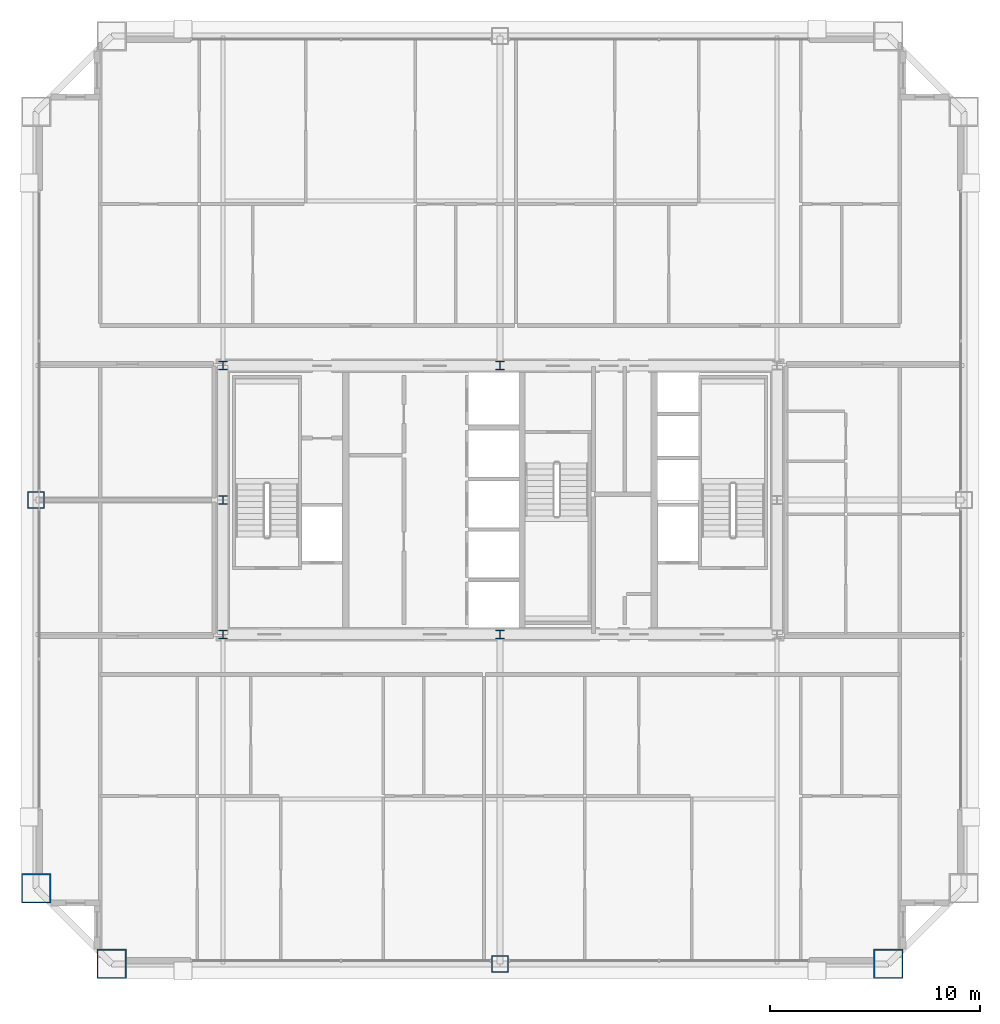
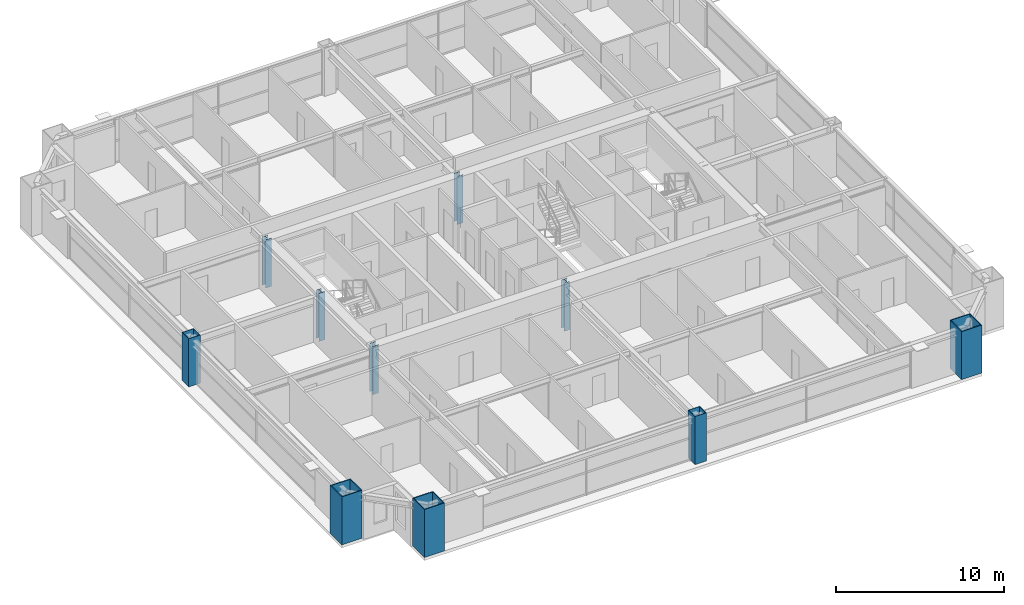
# One storey, part 1 of 38: 10 columns.
"""IFC4 building model written with IfcOpenShell, lengths in metres."""

import ifcopenshell
import ifcopenshell.guid

model = None  # the IFC model being written
_history = None  # IfcOwnerHistory: only IFC2X3 demands one
_inside = {}  # id of a spatial element -> (the spatial element, [elements in it])
_under = {}  # id of a project, library or spatial element -> (it, [spatial elements below it])
_declared = {}  # id of a project -> (the project, [libraries it declares])
_typed = {}  # id of a type object -> (the type object, [elements of that type])
_made_of = {}  # id of a material, layer set ... -> (it, [elements and type objects made of it])


def new_model(schema):
    """Start an empty IFC model of exactly this schema.

    Asked for "IFC4X3", IfcOpenShell would pick the latest addendum, in which some entities
    have other attributes; the version numbers below select the first issue.
    IFC2X3 requires an IfcOwnerHistory on every rooted entity: one is made here for all.
    """
    global model, _history
    if schema == "IFC4X3":
        model = ifcopenshell.file(schema_version=(4, 3, 0, 0))
    else:
        model = ifcopenshell.file(schema=schema)
    _inside.clear()
    _under.clear()
    _declared.clear()
    _typed.clear()
    _made_of.clear()
    _history = None
    if model.schema == "IFC2X3":
        org = make("IfcOrganization", Name="unknown")
        user = make(
            "IfcPersonAndOrganization",
            ThePerson=make("IfcPerson", FamilyName="unknown"),
            TheOrganization=org,
        )
        app = make(
            "IfcApplication",
            ApplicationDeveloper=org,
            Version="unknown",
            ApplicationFullName="unknown",
            ApplicationIdentifier="unknown",
        )
        _history = make(
            "IfcOwnerHistory",
            OwningUser=user,
            OwningApplication=app,
            ChangeAction="ADDED",
            CreationDate=0,
        )
    return model


def make(cls, **values):
    """One entity of the class cls with the attributes given. An attribute that is None is left unset."""
    return model.create_entity(
        cls, **{name: value for name, value in values.items() if value is not None}
    )


def rooted(cls, **values):
    """An entity with a GlobalId (a new one), such as an element, a storey or a relation."""
    return make(cls, GlobalId=ifcopenshell.guid.new(), OwnerHistory=_history, **values)


def si_unit(unit_type, name, prefix=None):
    """IfcSIUnit, for example si_unit("LENGTHUNIT", "METRE", prefix="MILLI")."""
    return make("IfcSIUnit", UnitType=unit_type, Prefix=prefix, Name=name)


def assignment(units):
    """IfcUnitAssignment: the units of a project."""
    return None if units is None else make("IfcUnitAssignment", Units=units)


def point(xyz):
    """IfcCartesianPoint."""
    return None if xyz is None else make("IfcCartesianPoint", Coordinates=xyz)


def direction(xyz):
    """IfcDirection."""
    return None if xyz is None else make("IfcDirection", DirectionRatios=xyz)


def frame(location, z_axis=None, x_axis=None):
    """IfcAxis2Placement3D, a coordinate frame: its origin and axes. An axis left out is left unset."""
    return make(
        "IfcAxis2Placement3D",
        Location=point(location),
        Axis=direction(z_axis),
        RefDirection=direction(x_axis),
    )


def frame_2d(location, x_axis=None):
    """IfcAxis2Placement2D, a coordinate frame in the plane: its origin and x axis."""
    return make(
        "IfcAxis2Placement2D", Location=point(location), RefDirection=direction(x_axis)
    )


def origin():
    """The frame at (0, 0, 0) with its axes left unset."""
    return frame((0.0, 0.0, 0.0))


def origin_2d():
    """The frame at (0, 0) in the plane with its x axis left unset."""
    return frame_2d((0.0, 0.0))


def place(relative_to, where):
    """IfcLocalPlacement: puts the frame where relative to a parent placement (None: the world)."""
    return make(
        "IfcLocalPlacement", PlacementRelTo=relative_to, RelativePlacement=where
    )


def context(
    kind, dimensions, precision=None, world=None, true_north=None, identifier=None
):
    """IfcGeometricRepresentationContext, for example the 3D "Model" context."""
    return make(
        "IfcGeometricRepresentationContext",
        ContextIdentifier=identifier,
        ContextType=kind,
        CoordinateSpaceDimension=dimensions,
        Precision=precision,
        WorldCoordinateSystem=world,
        TrueNorth=true_north,
    )


def subcontext(parent, identifier, kind, view, scale=None):
    """IfcGeometricRepresentationSubContext, for example "Body" below "Model"."""
    return make(
        "IfcGeometricRepresentationSubContext",
        ContextIdentifier=identifier,
        ContextType=kind,
        ParentContext=parent,
        TargetScale=scale,
        TargetView=view,
    )


def project(units=None, contexts=None):
    """IfcProject with its units and contexts."""
    return rooted(
        "IfcProject",
        Name="project",
        RepresentationContexts=contexts,
        UnitsInContext=assignment(units),
    )


def spatial(cls, under=None, at=None, **own):
    """A site, building, storey or space (cls), placed at a placement, below another one or the project."""
    s = rooted(cls, ObjectPlacement=at, **own)
    if under is not None:
        _under.setdefault(under.id(), (under, []))[1].append(s)
    return s


def profile(cls, at=None, kind="AREA", **sizes):
    """A parametric profile (cls). Its sizes go by their IFC names, for example OverallWidth=200.0."""
    return make(cls, ProfileType=kind, Position=at, **sizes)


def hollow_rectangle(**sizes):
    """IfcRectangleHollowProfileDef."""
    return profile("IfcRectangleHollowProfileDef", **sizes)


def i_section(**sizes):
    """IfcIShapeProfileDef."""
    return profile("IfcIShapeProfileDef", **sizes)


def extrude(swept, where, along, depth):
    """IfcExtrudedAreaSolid: the profile swept, set in the frame where, extruded along a direction by depth."""
    return make(
        "IfcExtrudedAreaSolid",
        SweptArea=swept,
        Position=where,
        ExtrudedDirection=direction(along),
        Depth=depth,
    )


def shape(context_of_items, identifier, shape_type, items):
    """IfcShapeRepresentation: the items that make up one representation, for example the "Body"."""
    return make(
        "IfcShapeRepresentation",
        ContextOfItems=context_of_items,
        RepresentationIdentifier=identifier,
        RepresentationType=shape_type,
        Items=items,
    )


def source(mapping_origin, context_of_items, identifier, shape_type, items):
    """IfcRepresentationMap: a shape defined once, which mapped items show again and again."""
    return make(
        "IfcRepresentationMap",
        MappingOrigin=mapping_origin,
        MappedRepresentation=shape(context_of_items, identifier, shape_type, items),
    )


def transform(
    local_origin,
    x_axis=None,
    y_axis=None,
    z_axis=None,
    scale=None,
    scale2=None,
    scale3=None,
    uniform=True,
):
    """IfcCartesianTransformationOperator3D, or its non-uniform kind. x_axis, y_axis, z_axis: its Axis1, 2, 3."""
    if uniform:
        return make(
            "IfcCartesianTransformationOperator3D",
            Axis1=direction(x_axis),
            Axis2=direction(y_axis),
            LocalOrigin=point(local_origin),
            Scale=scale,
            Axis3=direction(z_axis),
        )
    return make(
        "IfcCartesianTransformationOperator3DnonUniform",
        Axis1=direction(x_axis),
        Axis2=direction(y_axis),
        LocalOrigin=point(local_origin),
        Scale=scale,
        Axis3=direction(z_axis),
        Scale2=scale2,
        Scale3=scale3,
    )


def mapped(mapping_source, mapping_target):
    """IfcMappedItem: shows the shape of a source again, moved by a transform."""
    return make(
        "IfcMappedItem", MappingSource=mapping_source, MappingTarget=mapping_target
    )


def material(Name=None, Category=None):
    """IfcMaterial."""
    return make("IfcMaterial", Name=Name, Category=Category)


def material_profile(
    of_material, cross_section, Name=None, Category=None, Priority=None
):
    """IfcMaterialProfile: a cross section and its material."""
    return make(
        "IfcMaterialProfile",
        Name=Name,
        Material=of_material,
        Profile=cross_section,
        Priority=Priority,
        Category=Category,
    )


def profile_set(profiles, Name=None, composite=None):
    """IfcMaterialProfileSet."""
    return make(
        "IfcMaterialProfileSet",
        Name=Name,
        MaterialProfiles=profiles,
        CompositeProfile=composite,
    )


def made_of(thing, what):
    """Note that an element or type object is made of a material, layer set ...; save() writes the relation."""
    if what is not None:
        _made_of.setdefault(what.id(), (what, []))[1].append(thing)
    return thing


def type_object(cls, material=None, **own):
    """A type object (cls), such as IfcWallType, which elements share."""
    return made_of(rooted(cls, **own), material)


def element(
    cls,
    number,
    at=None,
    inside=None,
    cuts=None,
    type_object=None,
    material=None,
    context=None,
    identifier="Body",
    shape_type=None,
    held_by="IfcProductDefinitionShape",
    body=None,
    shapes=None,
    **own,
):
    """One element of the class cls, such as IfcWall. Its Tag is "e" and its number.

    at: its placement. inside: the storey or other place that contains it. cuts: it is an
    opening in that element (IfcRelVoidsElement). A single representation is given by context,
    identifier, shape_type and body (its items); several are given by shapes. held_by: the class
    of the entity that holds the representations. save() writes the other relations.
    """
    e = rooted(cls, Tag="e%d" % number, ObjectPlacement=at, **own)
    if body is not None:
        shapes = [shape(context, identifier, shape_type, body)]
    if shapes is not None:
        e.Representation = make(held_by, Representations=shapes)
    if inside is not None:
        _inside.setdefault(inside.id(), (inside, []))[1].append(e)
    if cuts is not None:
        rooted(
            "IfcRelVoidsElement", RelatingBuildingElement=cuts, RelatedOpeningElement=e
        )
    if type_object is not None:
        _typed.setdefault(type_object.id(), (type_object, []))[1].append(e)
    return made_of(e, material)


def aggregate(whole, parts):
    """IfcRelAggregates: a whole, such as a stair, and the parts it consists of."""
    return rooted("IfcRelAggregates", RelatingObject=whole, RelatedObjects=parts)


def save(model, path):
    """Write the relations noted so far, then the file.

    IfcRelAggregates (storeys below a building ...), IfcRelContainedInSpatialStructure (elements
    in a storey), IfcRelDefinesByType, IfcRelAssociatesMaterial and IfcRelDeclares: one each for
    every whole, place, type object, material and project.
    """
    for whole, parts in _under.values():
        aggregate(whole, parts)
    for where, things in _inside.values():
        rooted(
            "IfcRelContainedInSpatialStructure",
            RelatedElements=things,
            RelatingStructure=where,
        )
    for kind, things in _typed.values():
        rooted("IfcRelDefinesByType", RelatedObjects=things, RelatingType=kind)
    for what, things in _made_of.values():
        rooted("IfcRelAssociatesMaterial", RelatedObjects=things, RelatingMaterial=what)
    for by, libraries in _declared.values():
        rooted("IfcRelDeclares", RelatingContext=by, RelatedDefinitions=libraries)
    model.write(path)


model = new_model("IFC4")

# Units and contexts
model_context = context("Model", 3, precision=1e-05, world=origin(), true_north=direction((0.0, 1.0)))
body_context = subcontext(model_context, "Body", "Model", "MODEL_VIEW")
ifc_project = project(units=[si_unit("LENGTHUNIT", "METRE"), si_unit("AREAUNIT", "SQUARE_METRE"), si_unit("VOLUMEUNIT", "CUBIC_METRE"), si_unit("PLANEANGLEUNIT", "RADIAN"), si_unit("MASSUNIT", "GRAM", prefix="KILO"), si_unit("THERMODYNAMICTEMPERATUREUNIT", "KELVIN"), si_unit("POWERUNIT", "WATT")], contexts=[model_context])

# Site, building, storey
site_placement = place(None, origin())
site = spatial("IfcSite", under=ifc_project, at=site_placement, CompositionType="ELEMENT")
building_placement = place(site_placement, origin())
building = spatial("IfcBuilding", under=site, at=building_placement, Name="Yuzanri Waterfront Tower", CompositionType="ELEMENT")
storey_placement = place(building_placement, frame((0.0, 0.0, 195.0)))
storey = spatial("IfcBuildingStorey", under=building, at=storey_placement, Name="L51", CompositionType="ELEMENT", Elevation=195.0)

# Columns
ifc_material_1 = material(Name="Steel Q355B", Category="steel")
ifc_material_profile_1 = material_profile(ifc_material_1, i_section(OverallWidth=0.39990234375, OverallDepth=0.39990234375, WebThickness=0.012939453125, FlangeThickness=0.02099609375, at=origin_2d()), Name="HW 400x400x13x21")
ifc_profile_set_1 = profile_set([ifc_material_profile_1], Name="Steel Q355B")
column_type_1 = type_object("IfcColumnType", Name="Core Post Q355B HW 400x400x13x21", PredefinedType="COLUMN", material=ifc_profile_set_1)
shared_shape_1 = source(origin(), body_context, "Body", "SweptSolid", [
    extrude(i_section(OverallWidth=0.39990234375, OverallDepth=0.39990234375, WebThickness=0.012939453125, FlangeThickness=0.02099609375, at=origin_2d()), origin(), (0.0, 0.0, 1.0), 3.5),
])
for number, where, z_axis, x_axis, name in (
    (1, (23.800048828125, 19.39990234375, 0.0), (0.0, 0.0, 1.0), (1.0, 0.0, 0.0), "L51 Core Boundary Column CP1"),
    (2, (37.0, 19.39990234375, 0.0), (0.0, 0.0, 1.0), (1.0, 0.0, 0.0), "L51 Core Boundary Column CP2"),
    (3, (23.800048828125, 25.800048828125, 0.0), (0.0, 0.0, 1.0), (1.0, 0.0, 0.0), "L51 Core Boundary Column CP4"),
    (4, (23.800048828125, 32.199951171875, 0.0), (0.0, 0.0, 1.0), (1.0, 0.0, 0.0), "L51 Core Boundary Column CP6"),
    (5, (37.0, 32.199951171875, 0.0), (0.0, 0.0, 1.0), (1.0, 0.0, 0.0), "L51 Core Boundary Column CP7"),
):
    element("IfcColumn", number, at=place(storey_placement, frame(where, z_axis=z_axis, x_axis=x_axis)), inside=storey, type_object=column_type_1, Name=name, PredefinedType="COLUMN", context=body_context, shape_type="MappedRepresentation", body=[
        mapped(shared_shape_1, transform((0.0, 0.0, 0.0), scale=1.0)),
    ])
ifc_material_2 = material(Name="Steel Q420GJC", Category="steel")
ifc_material_profile_2 = material_profile(ifc_material_2, hollow_rectangle(XDim=1.39990234375, YDim=1.39990234375, WallThickness=0.06005859375, at=origin_2d()), Name="RHS 1400x1400x60")
ifc_profile_set_2 = profile_set([ifc_material_profile_2], Name="Steel Q420GJC")
column_type_2 = type_object("IfcColumnType", Name="Mega Column Q420GJC RHS 1400x1400x60", PredefinedType="COLUMN", material=ifc_profile_set_2)
shared_shape_2 = source(origin(), body_context, "Body", "SweptSolid", [
    extrude(hollow_rectangle(XDim=1.39990234375, YDim=1.39990234375, WallThickness=0.06005859375, at=origin_2d()), origin(), (0.0, 0.0, 1.0), 3.5),
])
for number, where, z_axis, x_axis, name in (
    (6, (18.5, 3.699951171875, 0.0), (0.0, 0.0, 1.0), (1.0, 0.0, 0.0), "L51 Perimeter Mega Column S1"),
    (7, (55.5, 3.699951171875, 0.0), (0.0, 0.0, 1.0), (1.0, 0.0, 0.0), "L51 Perimeter Mega Column S3"),
    (8, (14.89990234375, 7.300048828125, 0.0), (0.0, 0.0, 1.0), (1.0, 0.0, 0.0), "L51 Perimeter Mega Column W1"),
):
    element("IfcColumn", number, at=place(storey_placement, frame(where, z_axis=z_axis, x_axis=x_axis)), inside=storey, type_object=column_type_2, Name=name, PredefinedType="COLUMN", context=body_context, shape_type="MappedRepresentation", body=[
        mapped(shared_shape_2, transform((0.0, 0.0, 0.0), scale=1.0)),
    ])
ifc_material_3 = material(Name="Steel Q390GJC", Category="steel")
ifc_material_profile_3 = material_profile(ifc_material_3, hollow_rectangle(XDim=0.800048828125, YDim=0.800048828125, WallThickness=0.035888671875, at=origin_2d()), Name="RHS 800x800x36")
ifc_profile_set_3 = profile_set([ifc_material_profile_3], Name="Steel Q390GJC")
column_type_3 = type_object("IfcColumnType", Name="Frame Column Q390GJC RHS 800x800x36", PredefinedType="COLUMN", material=ifc_profile_set_3)
shared_shape_3 = source(origin(), body_context, "Body", "SweptSolid", [
    extrude(hollow_rectangle(XDim=0.800048828125, YDim=0.800048828125, WallThickness=0.035888671875, at=origin_2d()), origin(), (0.0, 0.0, 1.0), 3.5),
])
for number, where, z_axis, x_axis, name in (
    (9, (37.0, 3.699951171875, 0.0), (0.0, 0.0, 1.0), (1.0, 0.0, 0.0), "L51 Perimeter Frame Column S2"),
    (10, (14.89990234375, 25.800048828125, 0.0), (0.0, 0.0, 1.0), (1.0, 0.0, 0.0), "L51 Perimeter Frame Column W2"),
):
    element("IfcColumn", number, at=place(storey_placement, frame(where, z_axis=z_axis, x_axis=x_axis)), inside=storey, type_object=column_type_3, Name=name, PredefinedType="COLUMN", context=body_context, shape_type="MappedRepresentation", body=[
        mapped(shared_shape_3, transform((0.0, 0.0, 0.0), scale=1.0)),
    ])

save(model, "model.ifc")
